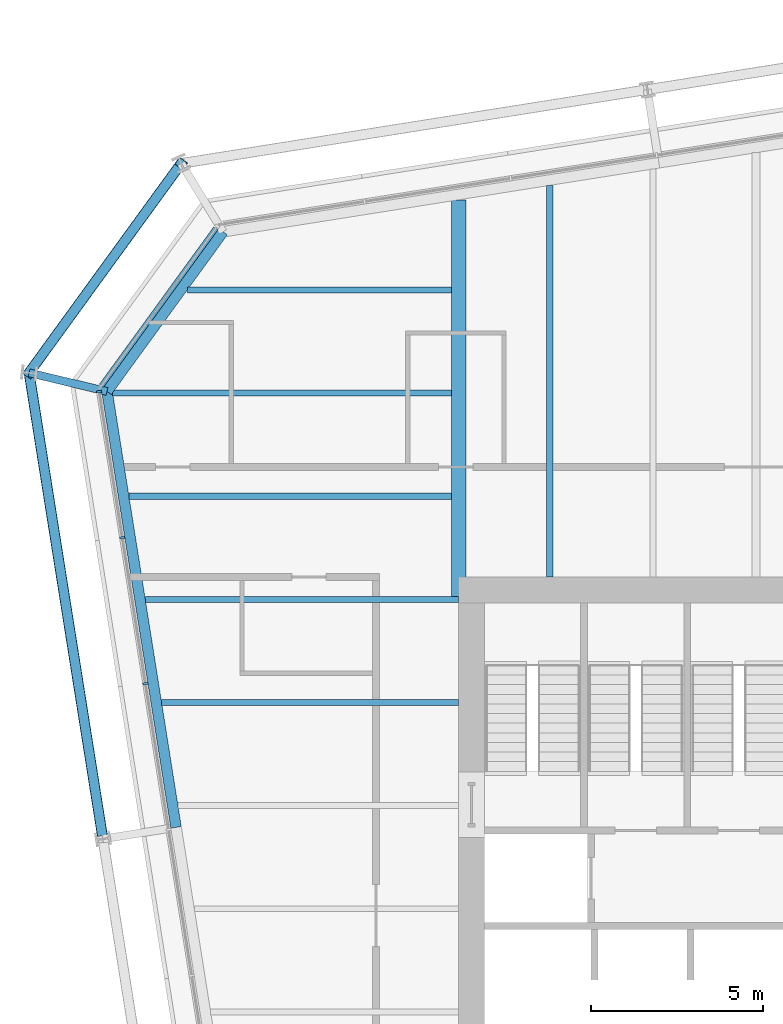
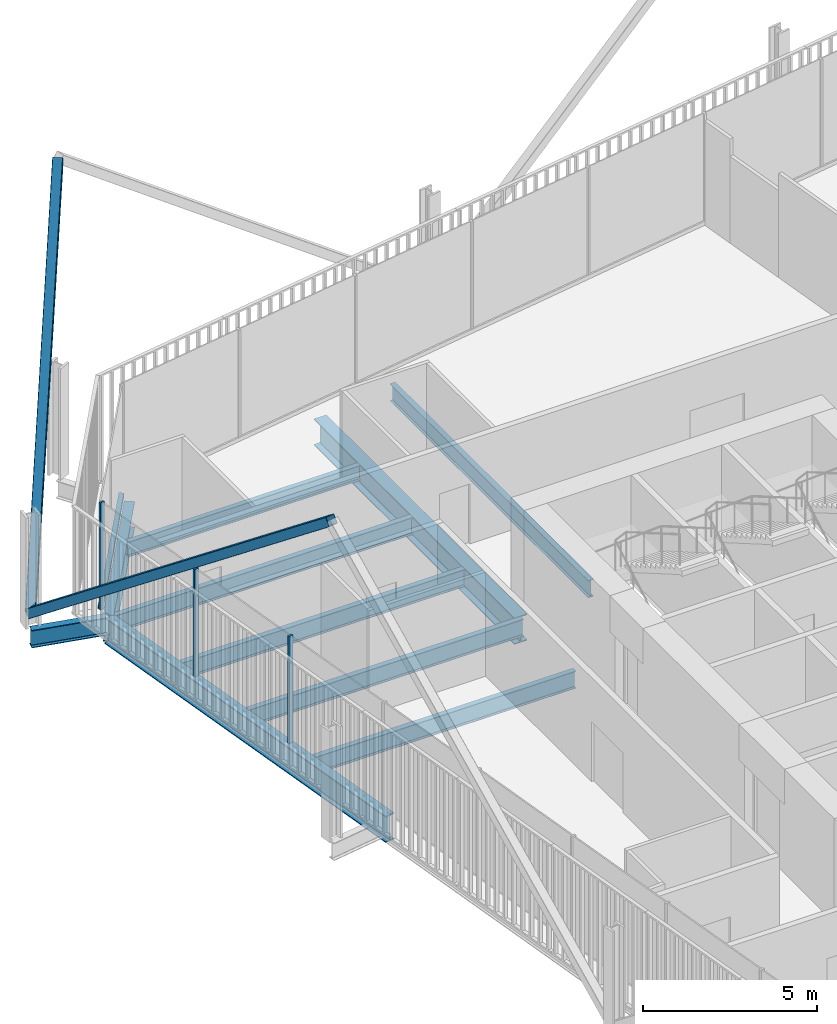
# One storey, part 10 of 22: 10 beams, 6 members, 2 elements without a shape of their own.
"""IFC4 building model written with IfcOpenShell, lengths in metres."""

from ifc_helpers import new_model, si_unit, direction, frame, origin, origin_2d, place, context, subcontext, project, spatial, rectangle, hollow_rectangle, i_section, extrude, material, layer, layer_set, material_profile, profile_set, type_object, element, aggregate, save


model = new_model("IFC4")

# Units and contexts
model_context = context("Model", 3, precision=1e-05, world=origin(), true_north=direction((0.0, 1.0)))
body_context = subcontext(model_context, "Body", "Model", "MODEL_VIEW")
ifc_project = project(units=[si_unit("LENGTHUNIT", "METRE"), si_unit("AREAUNIT", "SQUARE_METRE"), si_unit("VOLUMEUNIT", "CUBIC_METRE"), si_unit("PLANEANGLEUNIT", "RADIAN"), si_unit("MASSUNIT", "GRAM", prefix="KILO")], contexts=[model_context])

# Site, building, storey
site_placement = place(None, origin())
site = spatial("IfcSite", under=ifc_project, at=site_placement, CompositionType="ELEMENT")
building_placement = place(site_placement, origin())
building = spatial("IfcBuilding", under=site, at=building_placement, Name="Millrace Tower", CompositionType="ELEMENT")
storey_placement = place(building_placement, frame((0.0, 0.0, 168.5)))
storey = spatial("IfcBuildingStorey", under=building, at=storey_placement, Name="L38", CompositionType="ELEMENT", Elevation=168.5)

# Curtain wall, members
ifc_material_1 = material(Name="Aluminium and glass", Category="aluminium")
ifc_layer = layer(ifc_material_1, 0.14990234375)
ifc_layer_set = layer_set([ifc_layer], Name="Aluminium and glass")
curtain_wall_type = type_object("IfcCurtainWallType", Name="CW-1 office vision curtain wall", PredefinedType="NOTDEFINED", material=ifc_layer_set)
placement = place(storey_placement, origin())
curtain_wall_1 = element("IfcCurtainWall", 1, at=placement, inside=storey, type_object=curtain_wall_type, Name="Curtain wall C-F08 L38", PredefinedType="NOTDEFINED")
ifc_material_2 = material(Name="Aluminium", Category="aluminium")
ifc_material_profile_1 = material_profile(ifc_material_2, rectangle(XDim=0.06494140625, YDim=0.14990234375, at=origin_2d()))
ifc_profile_set_1 = profile_set([ifc_material_profile_1], Name="Aluminium")
member_type_1 = type_object("IfcMemberType", Name="CW-1 office vision curtain wall mullion", PredefinedType="MULLION", material=ifc_profile_set_1)
member_1_placement = place(storey_placement, frame((-25.106689453125, 15.041748046875, 0.139892578125), z_axis=(0.0, 0.0, 1.0), x_axis=(0.15643447328, -0.98768833929, 0.0)))
member_1 = element("IfcMember", 2, at=member_1_placement, type_object=member_type_1, Name="CW1 mullion C-F08.1", PredefinedType="MULLION", context=body_context, shape_type="SweptSolid", body=[
    extrude(rectangle(XDim=0.06494140625, YDim=0.14990234375, at=origin_2d()), origin(), (0.0, 0.0, 1.0), 3.760009765625),
])
member_2_placement = place(storey_placement, frame((-24.43408203125, 10.794677734375, 0.139892578125), z_axis=(0.0, 0.0, 1.0), x_axis=(0.15643447328, -0.98768833929, 0.0)))
member_2 = element("IfcMember", 3, at=member_2_placement, type_object=member_type_1, Name="CW1 mullion C-F08.2", PredefinedType="MULLION", context=body_context, shape_type="SweptSolid", body=[
    extrude(rectangle(XDim=0.06494140625, YDim=0.14990234375, at=origin_2d()), origin(), (0.0, 0.0, 1.0), 3.760009765625),
])
member_3_placement = place(storey_placement, frame((-23.76123046875, 6.547607421875, 0.139892578125), z_axis=(0.0, 0.0, 1.0), x_axis=(0.15643447328, -0.98768833929, 0.0)))
member_3 = element("IfcMember", 4, at=member_3_placement, type_object=member_type_1, Name="CW1 mullion C-F08.3", PredefinedType="MULLION", context=body_context, shape_type="SweptSolid", body=[
    extrude(rectangle(XDim=0.06494140625, YDim=0.14990234375, at=origin_2d()), origin(), (0.0, 0.0, 1.0), 3.760009765625),
])
aggregate(curtain_wall_1, [member_1, member_2, member_3])

# Curtain wall, member
curtain_wall_2 = element("IfcCurtainWall", 5, at=placement, inside=storey, type_object=curtain_wall_type, Name="Curtain wall C-F07 L38", PredefinedType="NOTDEFINED")
ifc_material_3 = material(Name="Aluminium", Category="aluminium")
ifc_material_profile_2 = material_profile(ifc_material_3, rectangle(XDim=0.14990234375, YDim=0.139892578125, at=origin_2d()))
ifc_profile_set_2 = profile_set([ifc_material_profile_2], Name="Aluminium")
member_type_2 = type_object("IfcMemberType", Name="CW-1 office vision curtain wall transom", PredefinedType="USERDEFINED", material=ifc_profile_set_2)
member_4_placement = place(storey_placement, frame((-21.70751953125, 19.796875, 0.070068359375), z_axis=(-0.587761915215, -0.80903394924, 0.0), x_axis=(0.80903394924, -0.587761915215, 0.0)))
member_4 = element("IfcMember", 6, at=member_4_placement, type_object=member_type_2, Name="CW1 transom C-F07.1", ObjectType="TRANSOM", PredefinedType="USERDEFINED", context=body_context, shape_type="SweptSolid", body=[
    extrude(rectangle(XDim=0.14990234375, YDim=0.139892578125, at=origin_2d()), origin(), (0.0, 0.0, 1.0), 5.6689453125),
])
aggregate(curtain_wall_2, [member_4])

# Members
ifc_material_4 = material(Name="Steel ASTM A500 Grade C", Category="steel")
ifc_material_profile_3 = material_profile(ifc_material_4, hollow_rectangle(XDim=0.3046875, YDim=0.3046875, WallThickness=0.0126953125, InnerFilletRadius=0.00634765625, OuterFilletRadius=0.01904296875, at=origin_2d()))
ifc_profile_set_3 = profile_set([ifc_material_profile_3], Name="Steel ASTM A500 Grade C")
member_type_3 = type_object("IfcMemberType", Name="Exoskeleton brace HSS12x12x1/2", PredefinedType="BRACE", material=ifc_profile_set_3)
member_5_placement = place(storey_placement, frame((-27.142578125, 15.5908203125, 0.39990234375), z_axis=(0.338147847112, 0.465426853531, 0.817944911046), x_axis=(-0.809020759968, 0.587780069364, 0.0)))
element("IfcMember", 7, at=member_5_placement, inside=storey, type_object=member_type_3, Name="BRC-C-L38-13", PredefinedType="BRACE", context=body_context, shape_type="SweptSolid", body=[
    extrude(hollow_rectangle(XDim=0.3046875, YDim=0.3046875, WallThickness=0.0126953125, InnerFilletRadius=0.00634765625, OuterFilletRadius=0.01904296875, at=origin_2d()), origin(), (0.0, 0.0, 1.0), 13.081787109375),
])
member_6_placement = place(storey_placement, frame((-27.142578125, 15.5908203125, 0.39990234375), z_axis=(0.123376328527, -0.779012950213, 0.614749627864), x_axis=(0.987689751328, 0.156425557764, 0.0)))
element("IfcMember", 8, at=member_6_placement, inside=storey, type_object=member_type_3, Name="BRC-C-L38-14", PredefinedType="BRACE", context=body_context, shape_type="SweptSolid", body=[
    extrude(hollow_rectangle(XDim=0.3046875, YDim=0.3046875, WallThickness=0.0126953125, InnerFilletRadius=0.00634765625, OuterFilletRadius=0.01904296875, at=origin_2d()), origin(), (0.0, 0.0, 1.0), 17.40576171875),
])

# Beams
ifc_material_5 = material(Name="Steel ASTM A992 Grade 50", Category="steel")
ifc_material_profile_4 = material_profile(ifc_material_5, i_section(OverallWidth=0.1650390625, OverallDepth=0.52587890625, WebThickness=0.0087890625, FlangeThickness=0.011474609375, FilletRadius=0.0126953125, at=origin_2d()))
ifc_profile_set_4 = profile_set([ifc_material_profile_4], Name="Steel ASTM A992 Grade 50")
beam_type_1 = type_object("IfcBeamType", Name="Floor beam W21x44", PredefinedType="JOIST", material=ifc_profile_set_4)
beam_1_placement = place(storey_placement, frame((-22.540283203125, 18.0, -0.4228515625), z_axis=(1.0, 0.0, 0.0), x_axis=(0.0, 1.0, 0.0)))
element("IfcBeam", 9, at=beam_1_placement, inside=storey, type_object=beam_type_1, Name="BM-C-L38-S1-S035", PredefinedType="JOIST", context=body_context, shape_type="SweptSolid", body=[
    extrude(i_section(OverallWidth=0.1650390625, OverallDepth=0.52587890625, WebThickness=0.0087890625, FlangeThickness=0.011474609375, FilletRadius=0.0126953125, at=origin_2d()), origin(), (0.0, 0.0, 1.0), 7.6806640625),
])
ifc_material_6 = material(Name="Steel ASTM A992 Grade 50", Category="steel")
ifc_material_profile_5 = material_profile(ifc_material_6, i_section(OverallWidth=0.177978515625, OverallDepth=0.599365234375, WebThickness=0.010009765625, FlangeThickness=0.012939453125, FilletRadius=0.012939453125, at=origin_2d()))
ifc_profile_set_5 = profile_set([ifc_material_profile_5], Name="Steel ASTM A992 Grade 50")
beam_type_2 = type_object("IfcBeamType", Name="Floor beam W24x55", PredefinedType="JOIST", material=ifc_profile_set_5)
beam_2_placement = place(storey_placement, frame((-23.28759765625, 6.0, -0.459716796875), z_axis=(1.0, 0.0, 0.0), x_axis=(0.0, 1.0, 0.0)))
element("IfcBeam", 10, at=beam_2_placement, inside=storey, type_object=beam_type_2, Name="BM-C-L38-S1-S026", PredefinedType="JOIST", context=body_context, shape_type="SweptSolid", body=[
    extrude(i_section(OverallWidth=0.177978515625, OverallDepth=0.599365234375, WebThickness=0.010009765625, FlangeThickness=0.012939453125, FilletRadius=0.012939453125, at=origin_2d()), origin(), (0.0, 0.0, 1.0), 8.6376953125),
])
beam_3_placement = place(storey_placement, frame((-23.7626953125, 9.0, -0.459716796875), z_axis=(1.0, 0.0, 0.0), x_axis=(0.0, 1.0, 0.0)))
element("IfcBeam", 11, at=beam_3_placement, inside=storey, type_object=beam_type_2, Name="BM-C-L38-S1-S029", PredefinedType="JOIST", context=body_context, shape_type="SweptSolid", body=[
    extrude(i_section(OverallWidth=0.177978515625, OverallDepth=0.599365234375, WebThickness=0.010009765625, FlangeThickness=0.012939453125, FilletRadius=0.012939453125, at=origin_2d()), origin(), (0.0, 0.0, 1.0), 9.11279296875),
])
beam_4_placement = place(storey_placement, frame((-24.23779296875, 12.0, -0.459716796875), z_axis=(1.0, 0.0, 0.0), x_axis=(0.0, 1.0, 0.0)))
element("IfcBeam", 12, at=beam_4_placement, inside=storey, type_object=beam_type_2, Name="BM-C-L38-S1-S031", PredefinedType="JOIST", context=body_context, shape_type="SweptSolid", body=[
    extrude(i_section(OverallWidth=0.177978515625, OverallDepth=0.599365234375, WebThickness=0.010009765625, FlangeThickness=0.012939453125, FilletRadius=0.012939453125, at=origin_2d()), origin(), (0.0, 0.0, 1.0), 9.378173828125),
])
beam_5_placement = place(storey_placement, frame((-24.712890625, 15.0, -0.459716796875), z_axis=(1.0, 0.0, 0.0), x_axis=(0.0, 1.0, 0.0)))
element("IfcBeam", 13, at=beam_5_placement, inside=storey, type_object=beam_type_2, Name="BM-C-L38-S1-S033", PredefinedType="JOIST", context=body_context, shape_type="SweptSolid", body=[
    extrude(i_section(OverallWidth=0.177978515625, OverallDepth=0.599365234375, WebThickness=0.010009765625, FlangeThickness=0.012939453125, FilletRadius=0.012939453125, at=origin_2d()), origin(), (0.0, 0.0, 1.0), 9.853271484375),
])
ifc_material_7 = material(Name="Steel ASTM A992 Grade 50", Category="steel")
ifc_material_profile_6 = material_profile(ifc_material_7, i_section(OverallWidth=0.1787109375, OverallDepth=0.60205078125, WebThickness=0.010986328125, FlangeThickness=0.014892578125, FilletRadius=0.0126953125, at=origin_2d()))
ifc_profile_set_6 = profile_set([ifc_material_profile_6], Name="Steel ASTM A992 Grade 50")
beam_type_3 = type_object("IfcBeamType", Name="Floor beam W24x62", PredefinedType="JOIST", material=ifc_profile_set_6)
beam_6_placement = place(storey_placement, frame((-12.0, 9.64990234375, -0.4609375), z_axis=(0.0, 1.0, 0.0), x_axis=(-1.0, 0.0, 0.0)))
element("IfcBeam", 14, at=beam_6_placement, inside=storey, type_object=beam_type_3, Name="BM-C-L38-S1-S039", PredefinedType="JOIST", context=body_context, shape_type="SweptSolid", body=[
    extrude(i_section(OverallWidth=0.1787109375, OverallDepth=0.60205078125, WebThickness=0.010986328125, FlangeThickness=0.014892578125, FilletRadius=0.0126953125, at=origin_2d()), origin(), (0.0, 0.0, 1.0), 11.39111328125),
])
ifc_material_8 = material(Name="Steel ASTM A992 Grade 50", Category="steel")
ifc_material_profile_7 = material_profile(ifc_material_8, i_section(OverallWidth=0.419189453125, OverallDepth=0.927001953125, WebThickness=0.019287109375, FlangeThickness=0.031982421875, FilletRadius=0.024169921875, at=origin_2d()))
ifc_profile_set_7 = profile_set([ifc_material_profile_7], Name="Steel ASTM A992 Grade 50")
beam_type_4 = type_object("IfcBeamType", Name="Girder short span W36x231", PredefinedType="BEAM", material=ifc_profile_set_7)
beam_7_placement = place(storey_placement, frame((-14.64990234375, 9.090087890625, -0.62353515625), z_axis=(0.0, 1.0, 0.0), x_axis=(-1.0, 0.0, 0.0)))
element("IfcBeam", 15, at=beam_7_placement, inside=storey, type_object=beam_type_4, Name="BM-C-L38-S1-G057", PredefinedType="BEAM", context=body_context, shape_type="SweptSolid", body=[
    extrude(i_section(OverallWidth=0.419189453125, OverallDepth=0.927001953125, WebThickness=0.019287109375, FlangeThickness=0.031982421875, FilletRadius=0.024169921875, at=origin_2d()), origin(), (0.0, 0.0, 1.0), 11.523193359375),
])
ifc_material_9 = material(Name="Steel ASTM A992 Grade 50", Category="steel")
ifc_material_profile_8 = material_profile(ifc_material_9, i_section(OverallWidth=0.23046875, OverallDepth=0.6171875, WebThickness=0.01318359375, FlangeThickness=0.022216796875, FilletRadius=0.012939453125, at=origin_2d()))
ifc_profile_set_8 = profile_set([ifc_material_profile_8], Name="Steel ASTM A992 Grade 50")
beam_type_5 = type_object("IfcBeamType", Name="Link beam W24x94", PredefinedType="BEAM", material=ifc_profile_set_8)
beam_8_placement = place(storey_placement, frame((-24.8759765625, 15.046630859375, -0.468505859375), z_axis=(-0.972367333652, 0.233456138164, 0.0), x_axis=(-0.233456138164, -0.972367333652, 0.0)))
element("IfcBeam", 16, at=beam_8_placement, inside=storey, type_object=beam_type_5, Name="LNK-C-L38-S1-04", PredefinedType="BEAM", context=body_context, shape_type="SweptSolid", body=[
    extrude(i_section(OverallWidth=0.23046875, OverallDepth=0.6171875, WebThickness=0.01318359375, FlangeThickness=0.022216796875, FilletRadius=0.012939453125, at=origin_2d()), origin(), (0.0, 0.0, 1.0), 2.3310546875),
])
ifc_material_10 = material(Name="Steel ASTM A992 Grade 50", Category="steel")
ifc_material_profile_9 = material_profile(ifc_material_10, i_section(OverallWidth=0.307373046875, OverallDepth=0.927001953125, WebThickness=0.01953125, FlangeThickness=0.031982421875, FilletRadius=0.01904296875, at=origin_2d()))
ifc_profile_set_9 = profile_set([ifc_material_profile_9], Name="Steel ASTM A992 Grade 50")
beam_type_6 = type_object("IfcBeamType", Name="Ring beam medium span W36x194", PredefinedType="SPANDREL", material=ifc_profile_set_9)
beam_9_placement = place(storey_placement, frame((-22.867919921875, 2.368408203125, -0.62353515625), z_axis=(-0.156436246498, 0.987688058438, 0.0), x_axis=(-0.987688058438, -0.156436246498, 0.0)))
element("IfcBeam", 17, at=beam_9_placement, inside=storey, type_object=beam_type_6, Name="RNG-C-L38-S1-03", PredefinedType="SPANDREL", context=body_context, shape_type="SweptSolid", body=[
    extrude(i_section(OverallWidth=0.307373046875, OverallDepth=0.927001953125, WebThickness=0.01953125, FlangeThickness=0.031982421875, FilletRadius=0.01904296875, at=origin_2d()), origin(), (0.0, 0.0, 1.0), 12.836181640625),
])
ifc_material_11 = material(Name="Steel ASTM A992 Grade 50", Category="steel")
ifc_material_profile_10 = material_profile(ifc_material_11, i_section(OverallWidth=0.307373046875, OverallDepth=0.927001953125, WebThickness=0.01953125, FlangeThickness=0.031982421875, FilletRadius=0.01904296875, at=origin_2d()))
ifc_profile_set_10 = profile_set([ifc_material_profile_10], Name="Steel ASTM A992 Grade 50")
beam_type_7 = type_object("IfcBeamType", Name="Ring beam short span W36x194", PredefinedType="SPANDREL", material=ifc_profile_set_10)
beam_10_placement = place(storey_placement, frame((-24.8759765625, 15.046630859375, -0.62353515625), z_axis=(0.587787348381, 0.809015471473, 0.0), x_axis=(-0.809015471473, 0.587787348381, 0.0)))
element("IfcBeam", 18, at=beam_10_placement, inside=storey, type_object=beam_type_7, Name="RNG-C-L38-S1-04", PredefinedType="SPANDREL", context=body_context, shape_type="SweptSolid", body=[
    extrude(i_section(OverallWidth=0.307373046875, OverallDepth=0.927001953125, WebThickness=0.01953125, FlangeThickness=0.031982421875, FilletRadius=0.01904296875, at=origin_2d()), origin(), (0.0, 0.0, 1.0), 5.741943359375),
])

save(model, "model.ifc")
